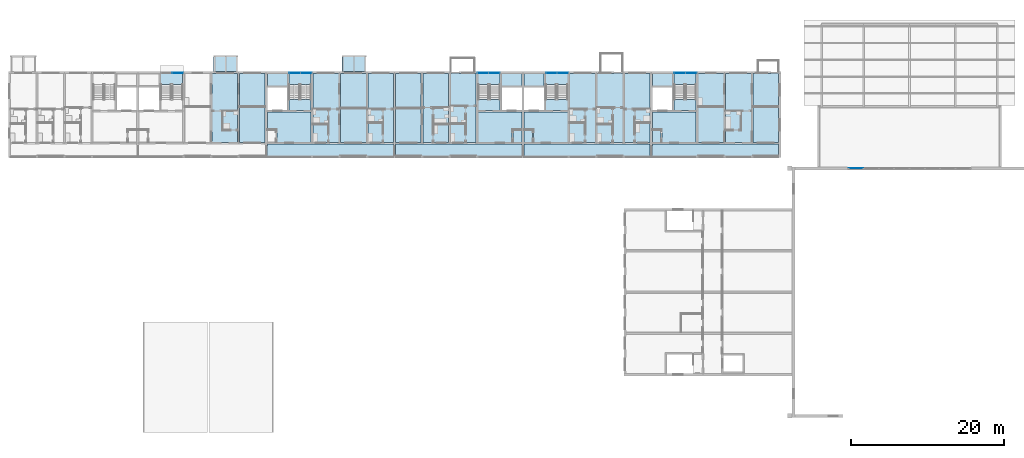
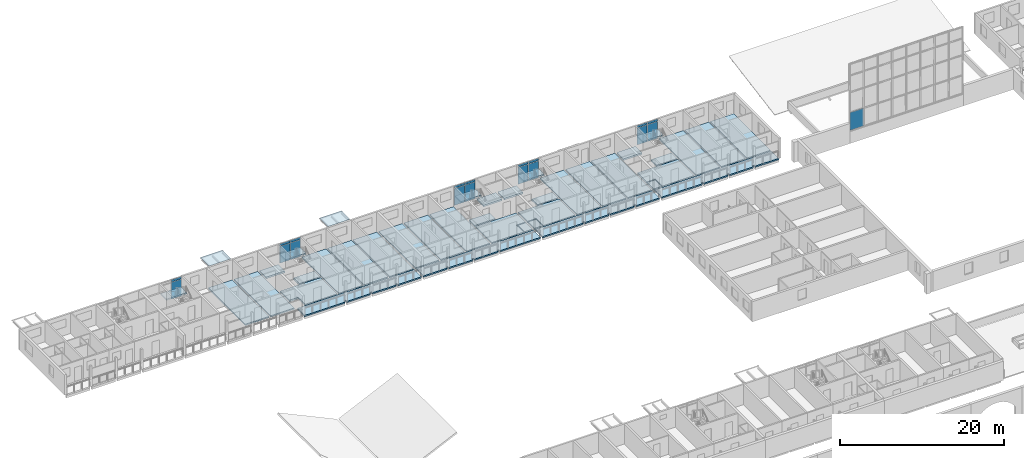
# One storey, part 44 of 122: 40 slabs, 19 plates, 11 elements without a shape of their own.
"""IFC4 building model written with IfcOpenShell, lengths in metres."""

from ifc_helpers import new_model, si_unit, direction, frame, origin, origin_2d, place, context, subcontext, project, spatial, polyline, rectangle, outline, extrude, material, layer, layer_set, type_object, element, aggregate, save


model = new_model("IFC4")

# Units and contexts
model_context = context("Model", 3, precision=1e-05, world=origin(), true_north=direction((0.0, 1.0)))
body_context = subcontext(model_context, "Body", "Model", "MODEL_VIEW")
ifc_project = project(units=[si_unit("LENGTHUNIT", "METRE"), si_unit("AREAUNIT", "SQUARE_METRE"), si_unit("VOLUMEUNIT", "CUBIC_METRE"), si_unit("PLANEANGLEUNIT", "RADIAN"), si_unit("MASSUNIT", "GRAM", prefix="KILO")], contexts=[model_context])

# Site, building, storey
site_placement = place(None, origin())
site = spatial("IfcSite", under=ifc_project, at=site_placement, CompositionType="ELEMENT")
building_placement = place(site_placement, origin())
building = spatial("IfcBuilding", under=site, at=building_placement, Name="Ridgestep Commons", CompositionType="ELEMENT")
storey_placement = place(building_placement, frame((0.0, 0.0, 3.0)))
storey = spatial("IfcBuildingStorey", under=building, at=storey_placement, Name="L01", CompositionType="ELEMENT", Elevation=3.0)

# Curtain wall, plate
ifc_material_1 = material(Name="Aluminium and glass", Category="aluminium")
ifc_layer_1 = layer(ifc_material_1, 0.199951171875)
ifc_layer_set_1 = layer_set([ifc_layer_1], Name="Hall gable curtain wall")
curtain_wall_type_1 = type_object("IfcCurtainWallType", Name="Hall gable curtain wall", PredefinedType="NOTDEFINED", material=ifc_layer_set_1)
curtain_wall_1_placement = place(storey_placement, origin())
curtain_wall_1 = element("IfcCurtainWall", 1, at=curtain_wall_1_placement, inside=storey, type_object=curtain_wall_type_1, Name="Hall gable curtain wall", PredefinedType="NOTDEFINED")
ifc_material_2 = material(Name="Glass", Category="glass")
ifc_layer_2 = layer(ifc_material_2, 0.028076171875)
ifc_layer_set_2 = layer_set([ifc_layer_2], Name="Community glass panel 28")
plate_type_1 = type_object("IfcPlateType", Name="Community glass panel 28", PredefinedType="CURTAIN_PANEL", material=ifc_layer_set_2)
plate_1_placement = place(storey_placement, frame((122.81494140625, 64.60009765625, 1.81005859375), z_axis=(0.0, 0.0, 1.0), x_axis=(1.0, 0.0, 0.0)))
plate_1 = element("IfcPlate", 2, at=plate_1_placement, type_object=plate_type_1, Name="CW4 panel 1.1", PredefinedType="CURTAIN_PANEL", context=body_context, shape_type="SweptSolid", body=[
    extrude(rectangle(XDim=1.909912109375, YDim=0.028076171875, at=origin_2d()), origin(), (0.0, 0.0, 1.0), 2.659912109375),
])
aggregate(curtain_wall_1, [plate_1])

# Slabs
ifc_material_3 = material(Name="Precast concrete C40/50", Category="concrete")
ifc_layer_3 = layer(ifc_material_3, 0.199951171875)
ifc_layer_set_3 = layer_set([ifc_layer_3], Name="Gallery slab 200")
slab_type_1 = type_object("IfcSlabType", Name="Gallery slab 200", PredefinedType="FLOOR", material=ifc_layer_set_3)
slab_1_placement = place(storey_placement, frame((0.0, 0.0, -0.199951171875)))
element("IfcSlab", 3, at=slab_1_placement, inside=storey, type_object=slab_type_1, Name="Gallery slab B3 L01", PredefinedType="FLOOR", context=body_context, shape_type="SweptSolid", body=[
    extrude(outline(polyline([(62.25, 67.800048828125), (45.75, 67.800048828125), (45.75, 66.0), (51.47509765625, 66.0), (51.47509765625, 66.25), (51.72509765625, 66.25), (51.72509765625, 66.0), (55.074951171875, 66.0), (55.074951171875, 66.25), (55.324951171875, 66.25), (55.324951171875, 66.0), (58.675048828125, 66.0), (58.675048828125, 66.25), (58.925048828125, 66.25), (58.925048828125, 66.0), (62.25, 66.0), (62.25, 67.800048828125)])), origin(), (0.0, 0.0, 1.0), 0.199951171875),
])
slab_2_placement = place(storey_placement, frame((0.0, 0.0, -0.199951171875)))
element("IfcSlab", 4, at=slab_2_placement, inside=storey, type_object=slab_type_1, Name="Gallery slab B4 L01", PredefinedType="FLOOR", context=body_context, shape_type="SweptSolid", body=[
    extrude(outline(polyline([(79.050048828125, 67.800048828125), (62.550048828125, 67.800048828125), (62.550048828125, 66.0), (65.875, 66.0), (65.875, 66.25), (66.125, 66.25), (66.125, 66.0), (69.47509765625, 66.0), (69.47509765625, 66.25), (69.72509765625, 66.25), (69.72509765625, 66.0), (73.074951171875, 66.0), (73.074951171875, 66.25), (73.324951171875, 66.25), (73.324951171875, 66.0), (79.050048828125, 66.0), (79.050048828125, 67.800048828125)])), origin(), (0.0, 0.0, 1.0), 0.199951171875),
])
slab_3_placement = place(storey_placement, frame((0.0, 0.0, -0.199951171875)))
element("IfcSlab", 5, at=slab_3_placement, inside=storey, type_object=slab_type_1, Name="Gallery slab B5 L01", PredefinedType="FLOOR", context=body_context, shape_type="SweptSolid", body=[
    extrude(outline(polyline([(95.85009765625, 67.800048828125), (79.35009765625, 67.800048828125), (79.35009765625, 66.0), (85.074951171875, 66.0), (85.074951171875, 66.25), (85.324951171875, 66.25), (85.324951171875, 66.0), (88.675048828125, 66.0), (88.675048828125, 66.25), (88.925048828125, 66.25), (88.925048828125, 66.0), (92.27490234375, 66.0), (92.27490234375, 66.25), (92.52490234375, 66.25), (92.52490234375, 66.0), (95.85009765625, 66.0), (95.85009765625, 67.800048828125)])), origin(), (0.0, 0.0, 1.0), 0.199951171875),
])
slab_4_placement = place(storey_placement, frame((0.0, 0.0, -0.199951171875)))
element("IfcSlab", 6, at=slab_4_placement, inside=storey, type_object=slab_type_1, Name="Gallery slab B6 L01", PredefinedType="FLOOR", context=body_context, shape_type="SweptSolid", body=[
    extrude(outline(polyline([(112.64990234375, 67.800048828125), (96.14990234375, 67.800048828125), (96.14990234375, 66.0), (101.875, 66.0), (101.875, 66.25), (102.125, 66.25), (102.125, 66.0), (105.47509765625, 66.0), (105.47509765625, 66.25), (105.72509765625, 66.25), (105.72509765625, 66.0), (109.074951171875, 66.0), (109.074951171875, 66.25), (109.324951171875, 66.25), (109.324951171875, 66.0), (112.64990234375, 66.0), (112.64990234375, 67.800048828125)])), origin(), (0.0, 0.0, 1.0), 0.199951171875),
])

# Curtain wall, plate
ifc_material_4 = material(Name="Aluminium 6063-T6 and glass", Category="aluminium")
curtain_wall_type_2 = type_object("IfcCurtainWallType", Name="Curtain wall stair strip", PredefinedType="NOTDEFINED", material=ifc_material_4)
curtain_wall_2_placement = place(storey_placement, origin())
curtain_wall_2 = element("IfcCurtainWall", 7, at=curtain_wall_2_placement, inside=storey, type_object=curtain_wall_type_2, Name="Curtain wall B2C level 01", PredefinedType="NOTDEFINED")
ifc_material_5 = material(Name="Glass laminated 6/16/6 low-emissivity", Category="glass")
ifc_layer_4 = layer(ifc_material_5, 0.028076171875)
ifc_layer_set_4 = layer_set([ifc_layer_4], Name="Glazing panel 28")
plate_type_2 = type_object("IfcPlateType", Name="Glazing panel 28", PredefinedType="CURTAIN_PANEL", material=ifc_layer_set_4)
plate_2_placement = place(storey_placement, frame((34.02880859375, 77.080078125, 0.06005859375), z_axis=(0.0, 0.0, 1.0), x_axis=(1.0, 0.0, 0.0)))
plate_2 = element("IfcPlate", 8, at=plate_2_placement, type_object=plate_type_2, Name="CW1 panel 2.1", PredefinedType="CURTAIN_PANEL", context=body_context, shape_type="SweptSolid", body=[
    extrude(rectangle(XDim=1.422607421875, YDim=0.028076171875, at=origin_2d()), origin(), (0.0, 0.0, 1.0), 2.5),
])

# Curtain wall, plates
curtain_wall_3_placement = place(storey_placement, origin())
curtain_wall_3 = element("IfcCurtainWall", 9, at=curtain_wall_3_placement, inside=storey, type_object=curtain_wall_type_2, Name="Curtain wall B3C level 01", PredefinedType="NOTDEFINED")
plate_3_placement = place(storey_placement, frame((49.34619140625, 77.080078125, 0.06005859375), z_axis=(0.0, 0.0, 1.0), x_axis=(1.0, 0.0, 0.0)))
plate_3 = element("IfcPlate", 10, at=plate_3_placement, type_object=plate_type_2, Name="CW1 panel 1.1", PredefinedType="CURTAIN_PANEL", context=body_context, shape_type="SweptSolid", body=[
    extrude(rectangle(XDim=1.422607421875, YDim=0.028076171875, at=origin_2d()), origin(), (0.0, 0.0, 1.0), 2.5),
])
plate_4_placement = place(storey_placement, frame((50.828857421875, 77.080078125, 0.06005859375), z_axis=(0.0, 0.0, 1.0), x_axis=(1.0, 0.0, 0.0)))
plate_4 = element("IfcPlate", 11, at=plate_4_placement, type_object=plate_type_2, Name="CW1 panel 2.1", PredefinedType="CURTAIN_PANEL", context=body_context, shape_type="SweptSolid", body=[
    extrude(rectangle(XDim=1.422607421875, YDim=0.028076171875, at=origin_2d()), origin(), (0.0, 0.0, 1.0), 2.5),
])

curtain_wall_4_placement = place(storey_placement, origin())
curtain_wall_4 = element("IfcCurtainWall", 12, at=curtain_wall_4_placement, inside=storey, type_object=curtain_wall_type_2, Name="Curtain wall B4C level 01", PredefinedType="NOTDEFINED")
plate_5_placement = place(storey_placement, frame((73.97119140625, 77.080078125, 0.06005859375), z_axis=(0.0, 0.0, 1.0), x_axis=(1.0, 0.0, 0.0)))
plate_5 = element("IfcPlate", 13, at=plate_5_placement, type_object=plate_type_2, Name="CW1 panel 1.1", PredefinedType="CURTAIN_PANEL", context=body_context, shape_type="SweptSolid", body=[
    extrude(rectangle(XDim=1.422607421875, YDim=0.028076171875, at=origin_2d()), origin(), (0.0, 0.0, 1.0), 2.5),
])
plate_6_placement = place(storey_placement, frame((75.453857421875, 77.080078125, 0.06005859375), z_axis=(0.0, 0.0, 1.0), x_axis=(1.0, 0.0, 0.0)))
plate_6 = element("IfcPlate", 14, at=plate_6_placement, type_object=plate_type_2, Name="CW1 panel 2.1", PredefinedType="CURTAIN_PANEL", context=body_context, shape_type="SweptSolid", body=[
    extrude(rectangle(XDim=1.422607421875, YDim=0.028076171875, at=origin_2d()), origin(), (0.0, 0.0, 1.0), 2.5),
])

curtain_wall_5_placement = place(storey_placement, origin())
curtain_wall_5 = element("IfcCurtainWall", 15, at=curtain_wall_5_placement, inside=storey, type_object=curtain_wall_type_2, Name="Curtain wall B5C level 01", PredefinedType="NOTDEFINED")
plate_7_placement = place(storey_placement, frame((82.9462890625, 77.080078125, 0.06005859375), z_axis=(0.0, 0.0, 1.0), x_axis=(1.0, 0.0, 0.0)))
plate_7 = element("IfcPlate", 16, at=plate_7_placement, type_object=plate_type_2, Name="CW1 panel 1.1", PredefinedType="CURTAIN_PANEL", context=body_context, shape_type="SweptSolid", body=[
    extrude(rectangle(XDim=1.422607421875, YDim=0.028076171875, at=origin_2d()), origin(), (0.0, 0.0, 1.0), 2.5),
])
plate_8_placement = place(storey_placement, frame((84.4287109375, 77.080078125, 0.06005859375), z_axis=(0.0, 0.0, 1.0), x_axis=(1.0, 0.0, 0.0)))
plate_8 = element("IfcPlate", 17, at=plate_8_placement, type_object=plate_type_2, Name="CW1 panel 2.1", PredefinedType="CURTAIN_PANEL", context=body_context, shape_type="SweptSolid", body=[
    extrude(rectangle(XDim=1.422607421875, YDim=0.028076171875, at=origin_2d()), origin(), (0.0, 0.0, 1.0), 2.5),
])

curtain_wall_6_placement = place(storey_placement, origin())
curtain_wall_6 = element("IfcCurtainWall", 18, at=curtain_wall_6_placement, inside=storey, type_object=curtain_wall_type_2, Name="Curtain wall B6C level 01", PredefinedType="NOTDEFINED")
plate_9_placement = place(storey_placement, frame((99.746337890625, 77.080078125, 0.06005859375), z_axis=(0.0, 0.0, 1.0), x_axis=(1.0, 0.0, 0.0)))
plate_9 = element("IfcPlate", 19, at=plate_9_placement, type_object=plate_type_2, Name="CW1 panel 1.1", PredefinedType="CURTAIN_PANEL", context=body_context, shape_type="SweptSolid", body=[
    extrude(rectangle(XDim=1.422607421875, YDim=0.028076171875, at=origin_2d()), origin(), (0.0, 0.0, 1.0), 2.5),
])
plate_10_placement = place(storey_placement, frame((101.228759765625, 77.080078125, 0.06005859375), z_axis=(0.0, 0.0, 1.0), x_axis=(1.0, 0.0, 0.0)))
plate_10 = element("IfcPlate", 20, at=plate_10_placement, type_object=plate_type_2, Name="CW1 panel 2.1", PredefinedType="CURTAIN_PANEL", context=body_context, shape_type="SweptSolid", body=[
    extrude(rectangle(XDim=1.422607421875, YDim=0.028076171875, at=origin_2d()), origin(), (0.0, 0.0, 1.0), 2.5),
])

# Slabs
ifc_material_6 = material(Name="Precast concrete C50/60", Category="concrete")
ifc_layer_5 = layer(ifc_material_6, 0.199951171875)
ifc_layer_set_5 = layer_set([ifc_layer_5], Name="Hollow-core plank 200")
slab_type_2 = type_object("IfcSlabType", Name="Hollow-core plank 200", PredefinedType="FLOOR", material=ifc_layer_set_5)
slab_5_placement = place(storey_placement, frame((0.0, 0.0, -0.199951171875)))
element("IfcSlab", 21, at=slab_5_placement, inside=storey, type_object=slab_type_2, Name="Floor plank B2T2 L01", PredefinedType="FLOOR", context=body_context, shape_type="SweptSolid", body=[
    extrude(outline(polyline([(41.875, 68.0), (41.875, 77.0), (38.52490234375, 77.0), (38.52490234375, 68.0), (41.875, 68.0)])), origin(), (0.0, 0.0, 1.0), 0.199951171875),
])
slab_6_placement = place(storey_placement, frame((0.0, 0.0, -0.199951171875)))
element("IfcSlab", 22, at=slab_6_placement, inside=storey, type_object=slab_type_2, Name="Floor plank B2T1 L01", PredefinedType="FLOOR", context=body_context, shape_type="SweptSolid", body=[
    extrude(outline(polyline([(45.449951171875, 68.0), (45.449951171875, 77.0), (42.125, 77.0), (42.125, 68.0), (45.449951171875, 68.0)])), origin(), (0.0, 0.0, 1.0), 0.199951171875),
])
slab_7_placement = place(storey_placement, frame((0.0, 0.0, -0.199951171875)))
element("IfcSlab", 23, at=slab_7_placement, inside=storey, type_object=slab_type_2, Name="Floor plank B3T3 L01", PredefinedType="FLOOR", context=body_context, shape_type="SweptSolid", body=[
    extrude(outline(polyline([(55.10009765625, 68.0), (55.10009765625, 77.0), (51.72509765625, 77.0), (51.72509765625, 68.0), (55.10009765625, 68.0)])), origin(), (0.0, 0.0, 1.0), 0.199951171875),
])
slab_8_placement = place(storey_placement, frame((0.0, 0.0, -0.199951171875)))
element("IfcSlab", 24, at=slab_8_placement, inside=storey, type_object=slab_type_2, Name="Floor plank B3T2 L01", PredefinedType="FLOOR", context=body_context, shape_type="SweptSolid", body=[
    extrude(outline(polyline([(58.699951171875, 68.0), (58.699951171875, 77.0), (55.300048828125, 77.0), (55.300048828125, 68.0), (58.699951171875, 68.0)])), origin(), (0.0, 0.0, 1.0), 0.199951171875),
])
slab_9_placement = place(storey_placement, frame((0.0, 0.0, -0.199951171875)))
element("IfcSlab", 25, at=slab_9_placement, inside=storey, type_object=slab_type_2, Name="Floor plank B3T1 L01", PredefinedType="FLOOR", context=body_context, shape_type="SweptSolid", body=[
    extrude(outline(polyline([(62.25, 68.0), (62.25, 77.0), (58.89990234375, 77.0), (58.89990234375, 68.0), (62.25, 68.0)])), origin(), (0.0, 0.0, 1.0), 0.199951171875),
])
slab_10_placement = place(storey_placement, frame((0.0, 0.0, -0.199951171875)))
element("IfcSlab", 26, at=slab_10_placement, inside=storey, type_object=slab_type_2, Name="Floor plank B4T1 L01", PredefinedType="FLOOR", context=body_context, shape_type="SweptSolid", body=[
    extrude(outline(polyline([(65.875, 68.0), (65.875, 77.0), (62.550048828125, 77.0), (62.550048828125, 68.0), (65.875, 68.0)])), origin(), (0.0, 0.0, 1.0), 0.199951171875),
])
slab_11_placement = place(storey_placement, frame((0.0, 0.0, -0.199951171875)))
element("IfcSlab", 27, at=slab_11_placement, inside=storey, type_object=slab_type_2, Name="Floor plank B4T2 L01", PredefinedType="FLOOR", context=body_context, shape_type="SweptSolid", body=[
    extrude(outline(polyline([(69.47509765625, 68.0), (69.47509765625, 77.0), (66.125, 77.0), (66.125, 68.0), (69.47509765625, 68.0)])), origin(), (0.0, 0.0, 1.0), 0.199951171875),
])
slab_12_placement = place(storey_placement, frame((0.0, 0.0, -0.199951171875)))
element("IfcSlab", 28, at=slab_12_placement, inside=storey, type_object=slab_type_2, Name="Floor plank B4T3 L01", PredefinedType="FLOOR", context=body_context, shape_type="SweptSolid", body=[
    extrude(outline(polyline([(73.074951171875, 68.0), (73.074951171875, 77.0), (69.72509765625, 77.0), (69.72509765625, 68.0), (73.074951171875, 68.0)])), origin(), (0.0, 0.0, 1.0), 0.199951171875),
])
slab_13_placement = place(storey_placement, frame((0.0, 0.0, -0.199951171875)))
element("IfcSlab", 29, at=slab_13_placement, inside=storey, type_object=slab_type_2, Name="Floor plank B5T3 L01", PredefinedType="FLOOR", context=body_context, shape_type="SweptSolid", body=[
    extrude(outline(polyline([(88.675048828125, 68.0), (88.675048828125, 77.0), (85.324951171875, 77.0), (85.324951171875, 68.0), (88.675048828125, 68.0)])), origin(), (0.0, 0.0, 1.0), 0.199951171875),
])
slab_14_placement = place(storey_placement, frame((0.0, 0.0, -0.199951171875)))
element("IfcSlab", 30, at=slab_14_placement, inside=storey, type_object=slab_type_2, Name="Floor plank B5T2 L01", PredefinedType="FLOOR", context=body_context, shape_type="SweptSolid", body=[
    extrude(outline(polyline([(92.300048828125, 68.0), (92.300048828125, 77.0), (88.925048828125, 77.0), (88.925048828125, 68.0), (92.300048828125, 68.0)])), origin(), (0.0, 0.0, 1.0), 0.199951171875),
])
slab_15_placement = place(storey_placement, frame((0.0, 0.0, -0.199951171875)))
element("IfcSlab", 31, at=slab_15_placement, inside=storey, type_object=slab_type_2, Name="Floor plank B5T1 L01", PredefinedType="FLOOR", context=body_context, shape_type="SweptSolid", body=[
    extrude(outline(polyline([(95.85009765625, 68.0), (95.85009765625, 77.0), (92.5, 77.0), (92.5, 68.0), (95.85009765625, 68.0)])), origin(), (0.0, 0.0, 1.0), 0.199951171875),
])
slab_16_placement = place(storey_placement, frame((0.0, 0.0, -0.199951171875)))
element("IfcSlab", 32, at=slab_16_placement, inside=storey, type_object=slab_type_2, Name="Floor plank B6T3 L01", PredefinedType="FLOOR", context=body_context, shape_type="SweptSolid", body=[
    extrude(outline(polyline([(105.5, 68.0), (105.5, 77.0), (102.125, 77.0), (102.125, 68.0), (105.5, 68.0)])), origin(), (0.0, 0.0, 1.0), 0.199951171875),
])
slab_17_placement = place(storey_placement, frame((0.0, 0.0, -0.199951171875)))
element("IfcSlab", 33, at=slab_17_placement, inside=storey, type_object=slab_type_2, Name="Floor plank B6T2 L01", PredefinedType="FLOOR", context=body_context, shape_type="SweptSolid", body=[
    extrude(outline(polyline([(109.10009765625, 68.0), (109.10009765625, 77.0), (105.699951171875, 77.0), (105.699951171875, 68.0), (109.10009765625, 68.0)])), origin(), (0.0, 0.0, 1.0), 0.199951171875),
])
slab_18_placement = place(storey_placement, frame((0.0, 0.0, -0.199951171875)))
element("IfcSlab", 34, at=slab_18_placement, inside=storey, type_object=slab_type_2, Name="Floor plank B6T1 L01", PredefinedType="FLOOR", context=body_context, shape_type="SweptSolid", body=[
    extrude(outline(polyline([(112.64990234375, 68.0), (112.64990234375, 77.0), (109.300048828125, 77.0), (109.300048828125, 68.0), (112.64990234375, 68.0)])), origin(), (0.0, 0.0, 1.0), 0.199951171875),
])
ifc_material_7 = material(Name="Precast concrete C50/60", Category="concrete")
ifc_layer_6 = layer(ifc_material_7, 0.25)
ifc_layer_set_6 = layer_set([ifc_layer_6], Name="Hollow-core plank 250")
slab_type_3 = type_object("IfcSlabType", Name="Hollow-core plank 250", PredefinedType="FLOOR", material=ifc_layer_set_6)
slab_19_placement = place(storey_placement, frame((0.0, 0.0, -0.25)))
element("IfcSlab", 35, at=slab_19_placement, inside=storey, type_object=slab_type_3, Name="Floor plank B3C L01", PredefinedType="FLOOR", context=body_context, shape_type="SweptSolid", body=[
    extrude(outline(polyline([(47.0, 68.0), (51.47509765625, 68.0), (51.47509765625, 72.0), (45.75, 72.0), (45.75, 69.719970703125), (46.8798828125, 69.719970703125), (47.0, 69.719970703125), (47.0, 68.0)])), origin(), (0.0, 0.0, 1.0), 0.25),
])
slab_20_placement = place(storey_placement, frame((0.0, 0.0, -0.25)))
element("IfcSlab", 36, at=slab_20_placement, inside=storey, type_object=slab_type_3, Name="Floor plank B3C L01", PredefinedType="FLOOR", context=body_context, shape_type="SweptSolid", body=[
    extrude(outline(polyline([(48.375, 77.0), (45.75, 77.0), (45.75, 75.39990234375), (48.375, 75.39990234375), (48.375, 77.0)])), origin(), (0.0, 0.0, 1.0), 0.25),
])
slab_21_placement = place(storey_placement, frame((0.0, 0.0, -0.25)))
element("IfcSlab", 37, at=slab_21_placement, inside=storey, type_object=slab_type_3, Name="Floor plank B3C L01", PredefinedType="FLOOR", context=body_context, shape_type="SweptSolid", body=[
    extrude(outline(polyline([(51.47509765625, 72.199951171875), (51.47509765625, 73.60009765625), (48.574951171875, 73.60009765625), (48.574951171875, 72.199951171875), (51.47509765625, 72.199951171875)])), origin(), (0.0, 0.0, 1.0), 0.25),
])
slab_22_placement = place(storey_placement, frame((0.0, 0.0, -0.25)))
element("IfcSlab", 38, at=slab_22_placement, inside=storey, type_object=slab_type_3, Name="Floor plank B4C L01", PredefinedType="FLOOR", context=body_context, shape_type="SweptSolid", body=[
    extrude(outline(polyline([(77.919921875, 69.719970703125), (79.050048828125, 69.719970703125), (79.050048828125, 72.0), (73.324951171875, 72.0), (73.324951171875, 68.0), (77.800048828125, 68.0), (77.800048828125, 69.719970703125), (77.919921875, 69.719970703125)])), origin(), (0.0, 0.0, 1.0), 0.25),
])
slab_23_placement = place(storey_placement, frame((0.0, 0.0, -0.25)))
element("IfcSlab", 39, at=slab_23_placement, inside=storey, type_object=slab_type_3, Name="Floor plank B4C L01", PredefinedType="FLOOR", context=body_context, shape_type="SweptSolid", body=[
    extrude(outline(polyline([(79.050048828125, 75.39990234375), (79.050048828125, 77.0), (76.425048828125, 77.0), (76.425048828125, 75.39990234375), (79.050048828125, 75.39990234375)])), origin(), (0.0, 0.0, 1.0), 0.25),
])
slab_24_placement = place(storey_placement, frame((0.0, 0.0, -0.25)))
element("IfcSlab", 40, at=slab_24_placement, inside=storey, type_object=slab_type_3, Name="Floor plank B4C L01", PredefinedType="FLOOR", context=body_context, shape_type="SweptSolid", body=[
    extrude(outline(polyline([(76.22509765625, 72.199951171875), (76.22509765625, 73.60009765625), (73.324951171875, 73.60009765625), (73.324951171875, 72.199951171875), (76.22509765625, 72.199951171875)])), origin(), (0.0, 0.0, 1.0), 0.25),
])
slab_25_placement = place(storey_placement, frame((0.0, 0.0, -0.25)))
element("IfcSlab", 41, at=slab_25_placement, inside=storey, type_object=slab_type_3, Name="Floor plank B4C L01", PredefinedType="FLOOR", context=body_context, shape_type="SweptSolid", body=[
    extrude(outline(polyline([(77.919921875, 68.0), (79.050048828125, 68.0), (79.050048828125, 69.60009765625), (77.919921875, 69.60009765625), (77.919921875, 68.0)])), origin(), (0.0, 0.0, 1.0), 0.25),
])
slab_26_placement = place(storey_placement, frame((0.0, 0.0, -0.25)))
element("IfcSlab", 42, at=slab_26_placement, inside=storey, type_object=slab_type_3, Name="Floor plank B5C L01", PredefinedType="FLOOR", context=body_context, shape_type="SweptSolid", body=[
    extrude(outline(polyline([(80.60009765625, 68.0), (85.074951171875, 68.0), (85.074951171875, 72.0), (79.35009765625, 72.0), (79.35009765625, 69.719970703125), (80.47998046875, 69.719970703125), (80.60009765625, 69.719970703125), (80.60009765625, 68.0)])), origin(), (0.0, 0.0, 1.0), 0.25),
])
slab_27_placement = place(storey_placement, frame((0.0, 0.0, -0.25)))
element("IfcSlab", 43, at=slab_27_placement, inside=storey, type_object=slab_type_3, Name="Floor plank B5C L01", PredefinedType="FLOOR", context=body_context, shape_type="SweptSolid", body=[
    extrude(outline(polyline([(81.97509765625, 77.0), (79.35009765625, 77.0), (79.35009765625, 75.39990234375), (81.97509765625, 75.39990234375), (81.97509765625, 77.0)])), origin(), (0.0, 0.0, 1.0), 0.25),
])
slab_28_placement = place(storey_placement, frame((0.0, 0.0, -0.25)))
element("IfcSlab", 44, at=slab_28_placement, inside=storey, type_object=slab_type_3, Name="Floor plank B5C L01", PredefinedType="FLOOR", context=body_context, shape_type="SweptSolid", body=[
    extrude(outline(polyline([(85.074951171875, 72.199951171875), (85.074951171875, 73.60009765625), (82.175048828125, 73.60009765625), (82.175048828125, 72.199951171875), (85.074951171875, 72.199951171875)])), origin(), (0.0, 0.0, 1.0), 0.25),
])
slab_29_placement = place(storey_placement, frame((0.0, 0.0, -0.25)))
element("IfcSlab", 45, at=slab_29_placement, inside=storey, type_object=slab_type_3, Name="Floor plank B5C L01", PredefinedType="FLOOR", context=body_context, shape_type="SweptSolid", body=[
    extrude(outline(polyline([(80.47998046875, 69.60009765625), (79.35009765625, 69.60009765625), (79.35009765625, 68.0), (80.47998046875, 68.0), (80.47998046875, 69.60009765625)])), origin(), (0.0, 0.0, 1.0), 0.25),
])
slab_30_placement = place(storey_placement, frame((0.0, 0.0, -0.25)))
element("IfcSlab", 46, at=slab_30_placement, inside=storey, type_object=slab_type_3, Name="Floor plank B6C L01", PredefinedType="FLOOR", context=body_context, shape_type="SweptSolid", body=[
    extrude(outline(polyline([(97.39990234375, 68.0), (101.875, 68.0), (101.875, 72.0), (96.14990234375, 72.0), (96.14990234375, 69.719970703125), (97.280029296875, 69.719970703125), (97.39990234375, 69.719970703125), (97.39990234375, 68.0)])), origin(), (0.0, 0.0, 1.0), 0.25),
])
slab_31_placement = place(storey_placement, frame((0.0, 0.0, -0.25)))
element("IfcSlab", 47, at=slab_31_placement, inside=storey, type_object=slab_type_3, Name="Floor plank B6C L01", PredefinedType="FLOOR", context=body_context, shape_type="SweptSolid", body=[
    extrude(outline(polyline([(98.77490234375, 77.0), (96.14990234375, 77.0), (96.14990234375, 75.39990234375), (98.77490234375, 75.39990234375), (98.77490234375, 77.0)])), origin(), (0.0, 0.0, 1.0), 0.25),
])
slab_32_placement = place(storey_placement, frame((0.0, 0.0, -0.25)))
element("IfcSlab", 48, at=slab_32_placement, inside=storey, type_object=slab_type_3, Name="Floor plank B6C L01", PredefinedType="FLOOR", context=body_context, shape_type="SweptSolid", body=[
    extrude(outline(polyline([(101.875, 72.199951171875), (101.875, 73.60009765625), (98.97509765625, 73.60009765625), (98.97509765625, 72.199951171875), (101.875, 72.199951171875)])), origin(), (0.0, 0.0, 1.0), 0.25),
])
slab_33_placement = place(storey_placement, frame((0.0, 0.0, -0.25)))
element("IfcSlab", 49, at=slab_33_placement, inside=storey, type_object=slab_type_3, Name="Floor plank B6C L01", PredefinedType="FLOOR", context=body_context, shape_type="SweptSolid", body=[
    extrude(outline(polyline([(97.280029296875, 69.60009765625), (96.14990234375, 69.60009765625), (96.14990234375, 68.0), (97.280029296875, 68.0), (97.280029296875, 69.60009765625)])), origin(), (0.0, 0.0, 1.0), 0.25),
])

# Plate
ifc_material_8 = material(Name="Aluminium 6063-T6 and mineral wool", Category="aluminium")
ifc_layer_7 = layer(ifc_material_8, 0.0400390625)
ifc_layer_set_7 = layer_set([ifc_layer_7], Name="Spandrel panel 40")
plate_type_3 = type_object("IfcPlateType", Name="Spandrel panel 40", PredefinedType="CURTAIN_PANEL", material=ifc_layer_set_7)
plate_11_placement = place(storey_placement, frame((34.02880859375, 77.080078125, 2.6201171875), z_axis=(0.0, 0.0, 1.0), x_axis=(1.0, 0.0, 0.0)))
plate_11 = element("IfcPlate", 50, at=plate_11_placement, type_object=plate_type_3, Name="CW1 panel 2.2", PredefinedType="CURTAIN_PANEL", context=body_context, shape_type="SweptSolid", body=[
    extrude(rectangle(XDim=1.422607421875, YDim=0.0400390625, at=origin_2d()), origin(), (0.0, 0.0, 1.0), 0.320068359375),
])

aggregate(curtain_wall_2, [plate_2, plate_11])

plate_12_placement = place(storey_placement, frame((49.34619140625, 77.080078125, 2.6201171875), z_axis=(0.0, 0.0, 1.0), x_axis=(1.0, 0.0, 0.0)))
plate_12 = element("IfcPlate", 51, at=plate_12_placement, type_object=plate_type_3, Name="CW1 panel 1.2", PredefinedType="CURTAIN_PANEL", context=body_context, shape_type="SweptSolid", body=[
    extrude(rectangle(XDim=1.422607421875, YDim=0.0400390625, at=origin_2d()), origin(), (0.0, 0.0, 1.0), 0.320068359375),
])

plate_13_placement = place(storey_placement, frame((50.828857421875, 77.080078125, 2.6201171875), z_axis=(0.0, 0.0, 1.0), x_axis=(1.0, 0.0, 0.0)))
plate_13 = element("IfcPlate", 52, at=plate_13_placement, type_object=plate_type_3, Name="CW1 panel 2.2", PredefinedType="CURTAIN_PANEL", context=body_context, shape_type="SweptSolid", body=[
    extrude(rectangle(XDim=1.422607421875, YDim=0.0400390625, at=origin_2d()), origin(), (0.0, 0.0, 1.0), 0.320068359375),
])

aggregate(curtain_wall_3, [plate_3, plate_12, plate_4, plate_13])

plate_14_placement = place(storey_placement, frame((73.97119140625, 77.080078125, 2.6201171875), z_axis=(0.0, 0.0, 1.0), x_axis=(1.0, 0.0, 0.0)))
plate_14 = element("IfcPlate", 53, at=plate_14_placement, type_object=plate_type_3, Name="CW1 panel 1.2", PredefinedType="CURTAIN_PANEL", context=body_context, shape_type="SweptSolid", body=[
    extrude(rectangle(XDim=1.422607421875, YDim=0.0400390625, at=origin_2d()), origin(), (0.0, 0.0, 1.0), 0.320068359375),
])

plate_15_placement = place(storey_placement, frame((75.453857421875, 77.080078125, 2.6201171875), z_axis=(0.0, 0.0, 1.0), x_axis=(1.0, 0.0, 0.0)))
plate_15 = element("IfcPlate", 54, at=plate_15_placement, type_object=plate_type_3, Name="CW1 panel 2.2", PredefinedType="CURTAIN_PANEL", context=body_context, shape_type="SweptSolid", body=[
    extrude(rectangle(XDim=1.422607421875, YDim=0.0400390625, at=origin_2d()), origin(), (0.0, 0.0, 1.0), 0.320068359375),
])

aggregate(curtain_wall_4, [plate_5, plate_14, plate_6, plate_15])

plate_16_placement = place(storey_placement, frame((82.9462890625, 77.080078125, 2.6201171875), z_axis=(0.0, 0.0, 1.0), x_axis=(1.0, 0.0, 0.0)))
plate_16 = element("IfcPlate", 55, at=plate_16_placement, type_object=plate_type_3, Name="CW1 panel 1.2", PredefinedType="CURTAIN_PANEL", context=body_context, shape_type="SweptSolid", body=[
    extrude(rectangle(XDim=1.422607421875, YDim=0.0400390625, at=origin_2d()), origin(), (0.0, 0.0, 1.0), 0.320068359375),
])

plate_17_placement = place(storey_placement, frame((84.4287109375, 77.080078125, 2.6201171875), z_axis=(0.0, 0.0, 1.0), x_axis=(1.0, 0.0, 0.0)))
plate_17 = element("IfcPlate", 56, at=plate_17_placement, type_object=plate_type_3, Name="CW1 panel 2.2", PredefinedType="CURTAIN_PANEL", context=body_context, shape_type="SweptSolid", body=[
    extrude(rectangle(XDim=1.422607421875, YDim=0.0400390625, at=origin_2d()), origin(), (0.0, 0.0, 1.0), 0.320068359375),
])

aggregate(curtain_wall_5, [plate_7, plate_16, plate_8, plate_17])

plate_18_placement = place(storey_placement, frame((99.746337890625, 77.080078125, 2.6201171875), z_axis=(0.0, 0.0, 1.0), x_axis=(1.0, 0.0, 0.0)))
plate_18 = element("IfcPlate", 57, at=plate_18_placement, type_object=plate_type_3, Name="CW1 panel 1.2", PredefinedType="CURTAIN_PANEL", context=body_context, shape_type="SweptSolid", body=[
    extrude(rectangle(XDim=1.422607421875, YDim=0.0400390625, at=origin_2d()), origin(), (0.0, 0.0, 1.0), 0.320068359375),
])

plate_19_placement = place(storey_placement, frame((101.228759765625, 77.080078125, 2.6201171875), z_axis=(0.0, 0.0, 1.0), x_axis=(1.0, 0.0, 0.0)))
plate_19 = element("IfcPlate", 58, at=plate_19_placement, type_object=plate_type_3, Name="CW1 panel 2.2", PredefinedType="CURTAIN_PANEL", context=body_context, shape_type="SweptSolid", body=[
    extrude(rectangle(XDim=1.422607421875, YDim=0.0400390625, at=origin_2d()), origin(), (0.0, 0.0, 1.0), 0.320068359375),
])

aggregate(curtain_wall_6, [plate_9, plate_18, plate_10, plate_19])

# Stair, slab
ifc_material_9 = material(Name="Precast concrete C40/50", Category="concrete")
stair_type = type_object("IfcStairType", Name="Escape stair 1400", PredefinedType="HALF_TURN_STAIR", material=ifc_material_9)
stair_1_placement = place(storey_placement, origin())
stair_1 = element("IfcStair", 59, at=stair_1_placement, inside=storey, type_object=stair_type, Name="L01 Escape stair B2C", PredefinedType="HALF_TURN_STAIR")
ifc_material_10 = material(Name="Precast concrete C40/50", Category="concrete")
ifc_layer_8 = layer(ifc_material_10, 0.199951171875)
ifc_layer_set_8 = layer_set([ifc_layer_8], Name="Stair landing 200")
slab_type_4 = type_object("IfcSlabType", Name="Stair landing 200", PredefinedType="LANDING", material=ifc_layer_set_8)
slab_34_placement = place(storey_placement, frame((0.0, 0.0, 1.300048828125)))
slab_34 = element("IfcSlab", 60, at=slab_34_placement, type_object=slab_type_4, Name="B2C landing 1", PredefinedType="LANDING", context=body_context, shape_type="SweptSolid", body=[
    extrude(outline(polyline([(34.675048828125, 75.56005859375), (34.675048828125, 77.0), (31.77490234375, 77.0), (31.77490234375, 75.56005859375), (34.675048828125, 75.56005859375)])), origin(), (0.0, 0.0, 1.0), 0.199951171875),
])
aggregate(stair_1, [slab_34])

stair_2_placement = place(storey_placement, origin())
stair_2 = element("IfcStair", 61, at=stair_2_placement, inside=storey, type_object=stair_type, Name="L01 Escape stair B3C", PredefinedType="HALF_TURN_STAIR")
slab_35_placement = place(storey_placement, frame((0.0, 0.0, 1.300048828125)))
slab_35 = element("IfcSlab", 62, at=slab_35_placement, type_object=slab_type_4, Name="B3C landing 1", PredefinedType="LANDING", context=body_context, shape_type="SweptSolid", body=[
    extrude(outline(polyline([(51.47509765625, 75.56005859375), (51.47509765625, 77.0), (48.574951171875, 77.0), (48.574951171875, 75.56005859375), (51.47509765625, 75.56005859375)])), origin(), (0.0, 0.0, 1.0), 0.199951171875),
])
aggregate(stair_2, [slab_35])

stair_3_placement = place(storey_placement, origin())
stair_3 = element("IfcStair", 63, at=stair_3_placement, inside=storey, type_object=stair_type, Name="L01 Escape stair B4C", PredefinedType="HALF_TURN_STAIR")
slab_36_placement = place(storey_placement, frame((0.0, 0.0, 1.300048828125)))
slab_36 = element("IfcSlab", 64, at=slab_36_placement, type_object=slab_type_4, Name="B4C landing 1", PredefinedType="LANDING", context=body_context, shape_type="SweptSolid", body=[
    extrude(outline(polyline([(76.22509765625, 75.56005859375), (76.22509765625, 77.0), (73.324951171875, 77.0), (73.324951171875, 75.56005859375), (76.22509765625, 75.56005859375)])), origin(), (0.0, 0.0, 1.0), 0.199951171875),
])
aggregate(stair_3, [slab_36])

stair_4_placement = place(storey_placement, origin())
stair_4 = element("IfcStair", 65, at=stair_4_placement, inside=storey, type_object=stair_type, Name="L01 Escape stair B5C", PredefinedType="HALF_TURN_STAIR")
slab_37_placement = place(storey_placement, frame((0.0, 0.0, 1.300048828125)))
slab_37 = element("IfcSlab", 66, at=slab_37_placement, type_object=slab_type_4, Name="B5C landing 1", PredefinedType="LANDING", context=body_context, shape_type="SweptSolid", body=[
    extrude(outline(polyline([(85.074951171875, 75.56005859375), (85.074951171875, 77.0), (82.175048828125, 77.0), (82.175048828125, 75.56005859375), (85.074951171875, 75.56005859375)])), origin(), (0.0, 0.0, 1.0), 0.199951171875),
])
aggregate(stair_4, [slab_37])

stair_5_placement = place(storey_placement, origin())
stair_5 = element("IfcStair", 67, at=stair_5_placement, inside=storey, type_object=stair_type, Name="L01 Escape stair B6C", PredefinedType="HALF_TURN_STAIR")
slab_38_placement = place(storey_placement, frame((0.0, 0.0, 1.300048828125)))
slab_38 = element("IfcSlab", 68, at=slab_38_placement, type_object=slab_type_4, Name="B6C landing 1", PredefinedType="LANDING", context=body_context, shape_type="SweptSolid", body=[
    extrude(outline(polyline([(101.875, 75.56005859375), (101.875, 77.0), (98.97509765625, 77.0), (98.97509765625, 75.56005859375), (101.875, 75.56005859375)])), origin(), (0.0, 0.0, 1.0), 0.199951171875),
])
aggregate(stair_5, [slab_38])

# Slabs
ifc_material_11 = material(Name="Weathering steel S355J2W", Category="steel")
ifc_layer_9 = layer(ifc_material_11, 0.010009765625)
ifc_layer_set_9 = layer_set([ifc_layer_9], Name="Tray 3.2 x 2.1")
slab_type_5 = type_object("IfcSlabType", Name="Tray 3.2 x 2.1", PredefinedType="FLOOR", material=ifc_layer_set_9)
slab_39_placement = place(storey_placement, frame((0.0, 0.0, 2.989990234375)))
element("IfcSlab", 69, at=slab_39_placement, inside=storey, type_object=slab_type_5, Name="Tray deck B2T2-02", PredefinedType="FLOOR", context=body_context, shape_type="SweptSolid", body=[
    extrude(outline(polyline([(38.72998046875, 77.25), (41.8701171875, 77.25), (41.8701171875, 79.35009765625), (38.72998046875, 79.35009765625), (38.72998046875, 77.25)])), origin(), (0.0, 0.0, 1.0), 0.010009765625),
])
slab_40_placement = place(storey_placement, frame((0.0, 0.0, 2.989990234375)))
element("IfcSlab", 70, at=slab_40_placement, inside=storey, type_object=slab_type_5, Name="Tray deck B3T2-02", PredefinedType="FLOOR", context=body_context, shape_type="SweptSolid", body=[
    extrude(outline(polyline([(55.530029296875, 77.25), (58.669921875, 77.25), (58.669921875, 79.35009765625), (55.530029296875, 79.35009765625), (55.530029296875, 77.25)])), origin(), (0.0, 0.0, 1.0), 0.010009765625),
])

save(model, "model.ifc")
